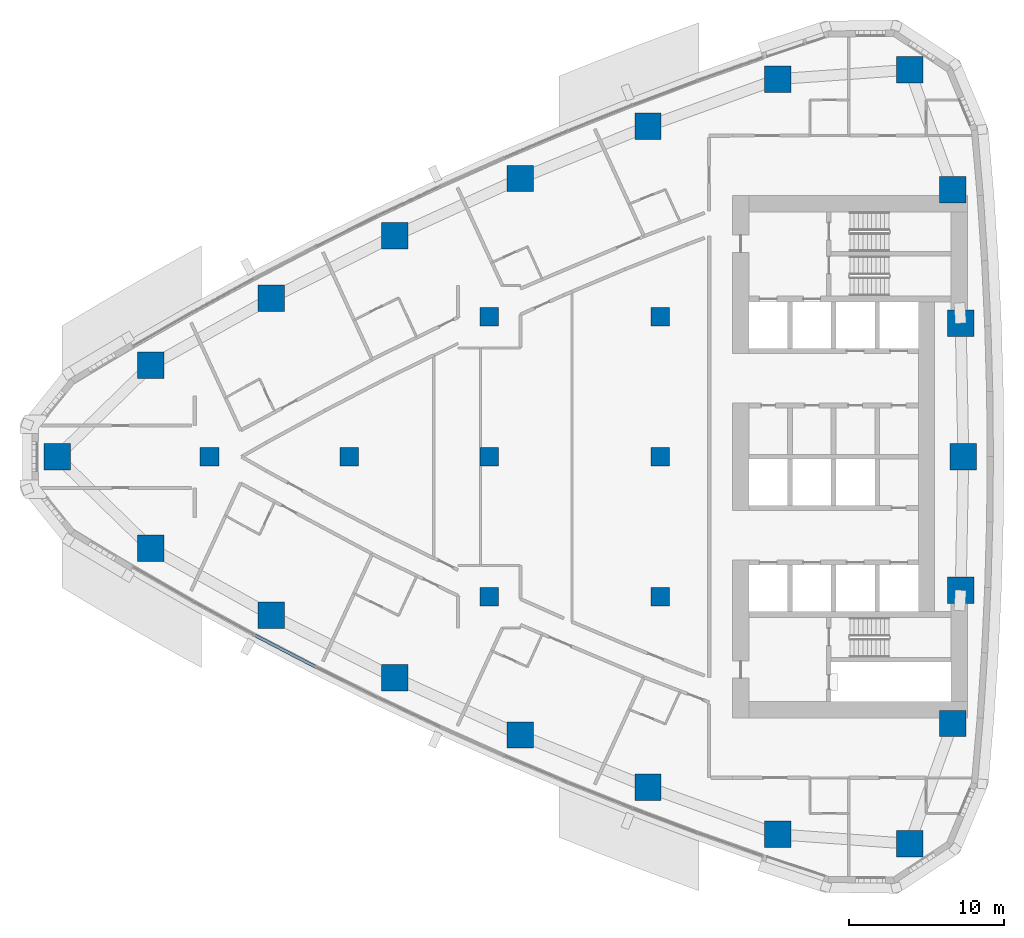
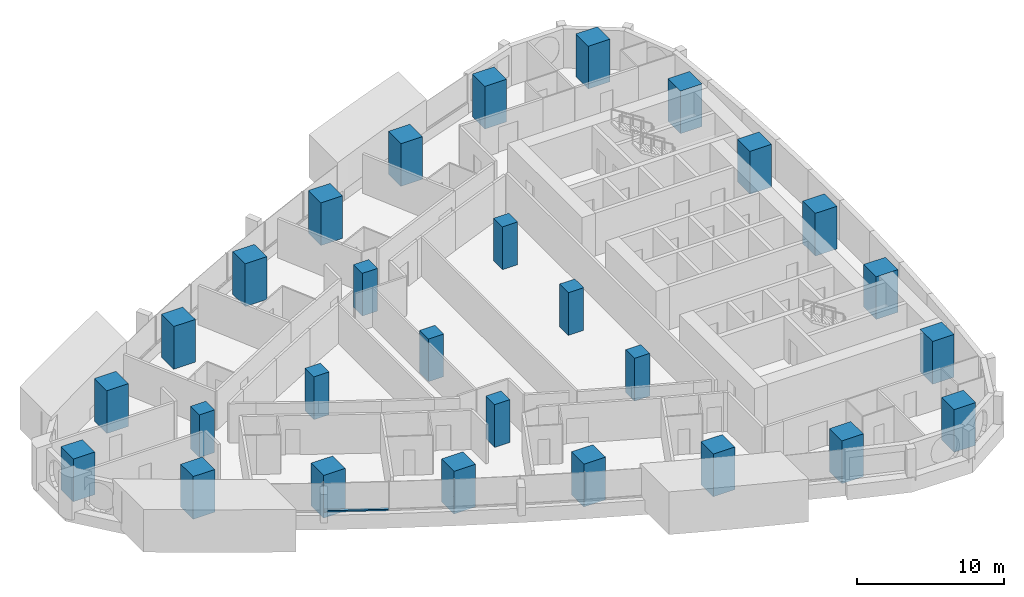
# One storey, part 1 of 17: 28 columns, 1 member, 1 element without a shape of its own.
"""IFC4 building model written with IfcOpenShell, lengths in metres."""

from ifc_helpers import new_model, si_unit, direction, frame, origin, origin_2d, place, context, subcontext, project, spatial, rectangle, extrude, material, layer, layer_set, material_profile, profile_set, type_object, element, aggregate, save


model = new_model("IFC4")

# Units and contexts
model_context = context("Model", 3, precision=1e-05, world=origin(), true_north=direction((0.0, 1.0)))
body_context = subcontext(model_context, "Body", "Model", "MODEL_VIEW")
ifc_project = project(units=[si_unit("LENGTHUNIT", "METRE"), si_unit("AREAUNIT", "SQUARE_METRE"), si_unit("VOLUMEUNIT", "CUBIC_METRE"), si_unit("PLANEANGLEUNIT", "RADIAN"), si_unit("MASSUNIT", "GRAM", prefix="KILO")], contexts=[model_context])

# Site, building, storey
site_placement = place(None, origin())
site = spatial("IfcSite", under=ifc_project, at=site_placement, CompositionType="ELEMENT")
building_placement = place(site_placement, origin())
building = spatial("IfcBuilding", under=site, at=building_placement, Name="Ostrand Prow Hotel Tower", CompositionType="ELEMENT")
storey_placement = place(building_placement, frame((0.0, 0.0, 92.0)))
storey = spatial("IfcBuildingStorey", under=building, at=storey_placement, Name="L21", CompositionType="ELEMENT", Elevation=92.0)

# Columns
ifc_material_1 = material(Name="Concrete C80/95", Category="concrete")
ifc_material_profile_1 = material_profile(ifc_material_1, rectangle(XDim=1.199951171875, YDim=1.199951171875, at=origin_2d()), Name="RC 1200x1200")
ifc_profile_set_1 = profile_set([ifc_material_profile_1], Name="Concrete C80/95")
column_type_1 = type_object("IfcColumnType", Name="Interior column 1200x1200 C80/95", PredefinedType="COLUMN", material=ifc_profile_set_1)
for number, where, z_axis, x_axis, name in (
    (1, (16.0, 0.0, 0.0), (0.0, 0.0, 1.0), (1.0, 0.0, 0.0), "Interior column 16C0"),
    (2, (25.0, 0.0, 0.0), (0.0, 0.0, 1.0), (1.0, 0.0, 0.0), "Interior column 25C0"),
    (3, (34.0, -9.0, 0.0), (0.0, 0.0, 1.0), (1.0, 0.0, 0.0), "Interior column 34S9"),
    (4, (34.0, 0.0, 0.0), (0.0, 0.0, 1.0), (1.0, 0.0, 0.0), "Interior column 34C0"),
    (5, (34.0, 9.0, 0.0), (0.0, 0.0, 1.0), (1.0, 0.0, 0.0), "Interior column 34N9"),
    (6, (45.0, -9.0, 0.0), (0.0, 0.0, 1.0), (1.0, 0.0, 0.0), "Interior column 45S9"),
    (7, (45.0, 0.0, 0.0), (0.0, 0.0, 1.0), (1.0, 0.0, 0.0), "Interior column 45C0"),
    (8, (45.0, 9.0, 0.0), (0.0, 0.0, 1.0), (1.0, 0.0, 0.0), "Interior column 45N9"),
):
    element("IfcColumn", number, at=place(storey_placement, frame(where, z_axis=z_axis, x_axis=x_axis)), inside=storey, type_object=column_type_1, Name=name, PredefinedType="COLUMN", context=body_context, shape_type="SweptSolid", body=[
        extrude(rectangle(XDim=1.199951171875, YDim=1.199951171875, at=origin_2d()), origin(), (0.0, 0.0, 1.0), 3.550048828125),
    ])
ifc_material_2 = material(Name="Concrete C80/95", Category="concrete")
ifc_material_profile_2 = material_profile(ifc_material_2, rectangle(XDim=1.699951171875, YDim=1.699951171875, at=origin_2d()), Name="RC 1700x1700")
ifc_profile_set_2 = profile_set([ifc_material_profile_2], Name="Concrete C80/95")
column_type_2 = type_object("IfcColumnType", Name="Stone-faced mega column 1700x1700 C80/95", PredefinedType="COLUMN", material=ifc_profile_set_2)
for number, where, z_axis, x_axis, name in (
    (9, (6.193115234375, 0.0, 0.0), (0.0, 0.0, 1.0), (1.0, 0.0, 0.0), "Mega column P"),
    (10, (12.221435546875, -5.876220703125, 0.0), (0.0, 0.0, 1.0), (1.0, 0.0, 0.0), "Mega column S1"),
    (11, (19.980712890625, -10.20166015625, 0.0), (0.0, 0.0, 1.0), (1.0, 0.0, 0.0), "Mega column S2"),
    (12, (27.906982421875, -14.212158203125, 0.0), (0.0, 0.0, 1.0), (1.0, 0.0, 0.0), "Mega column S3"),
    (13, (35.98828125, -17.901611328125, 0.0), (0.0, 0.0, 1.0), (1.0, 0.0, 0.0), "Mega column S4"),
    (14, (44.210693359375, -21.263671875, 0.0), (0.0, 0.0, 1.0), (1.0, 0.0, 0.0), "Mega column S5"),
    (15, (52.561767578125, -24.29296875, 0.0), (0.0, 0.0, 1.0), (1.0, 0.0, 0.0), "Mega column S6"),
    (16, (61.0400390625, -24.89697265625, 0.0), (0.0, 0.0, 1.0), (1.0, 0.0, 0.0), "Mega column SE"),
    (17, (63.815673828125, -17.16357421875, 0.0), (0.0, 0.0, 1.0), (1.0, 0.0, 0.0), "Mega column B1"),
    (18, (64.328857421875, -8.588623046875, 0.0), (0.0, 0.0, 1.0), (1.0, 0.0, 0.0), "Mega column B2"),
    (19, (64.5, 0.0, 0.0), (0.0, 0.0, 1.0), (1.0, 0.0, 0.0), "Mega column B3"),
    (20, (64.328857421875, 8.588623046875, 0.0), (0.0, 0.0, 1.0), (1.0, 0.0, 0.0), "Mega column B4"),
    (21, (63.815673828125, 17.16357421875, 0.0), (0.0, 0.0, 1.0), (1.0, 0.0, 0.0), "Mega column B5"),
    (22, (61.0400390625, 24.89697265625, 0.0), (0.0, 0.0, 1.0), (1.0, 0.0, 0.0), "Mega column NE"),
    (23, (52.561767578125, 24.29296875, 0.0), (0.0, 0.0, 1.0), (1.0, 0.0, 0.0), "Mega column N1"),
    (24, (44.210693359375, 21.263671875, 0.0), (0.0, 0.0, 1.0), (1.0, 0.0, 0.0), "Mega column N2"),
    (25, (35.98828125, 17.901611328125, 0.0), (0.0, 0.0, 1.0), (1.0, 0.0, 0.0), "Mega column N3"),
    (26, (27.906982421875, 14.212158203125, 0.0), (0.0, 0.0, 1.0), (1.0, 0.0, 0.0), "Mega column N4"),
    (27, (19.980712890625, 10.20166015625, 0.0), (0.0, 0.0, 1.0), (1.0, 0.0, 0.0), "Mega column N5"),
    (28, (12.221435546875, 5.876220703125, 0.0), (0.0, 0.0, 1.0), (1.0, 0.0, 0.0), "Mega column N6"),
):
    element("IfcColumn", number, at=place(storey_placement, frame(where, z_axis=z_axis, x_axis=x_axis)), inside=storey, type_object=column_type_2, Name=name, PredefinedType="COLUMN", context=body_context, shape_type="SweptSolid", body=[
        extrude(rectangle(XDim=1.699951171875, YDim=1.699951171875, at=origin_2d()), origin(), (0.0, 0.0, 1.0), 3.550048828125),
    ])

# Curtain wall, member
ifc_material_3 = material(Name="Insulated glass in bronze anodised frame", Category="glass")
ifc_layer = layer(ifc_material_3, 0.199951171875)
ifc_layer_set = layer_set([ifc_layer], Name="Insulated glass in bronze anodised frame")
curtain_wall_type = type_object("IfcCurtainWallType", Name="Strip curtain wall, fritted glass over bronze spandrel", PredefinedType="NOTDEFINED", material=ifc_layer_set)
curtain_wall_placement = place(storey_placement, origin())
curtain_wall = element("IfcCurtainWall", 29, at=curtain_wall_placement, inside=storey, type_object=curtain_wall_type, Name="CW1 run CWS2", PredefinedType="NOTDEFINED")
ifc_material_4 = material(Name="Bronze anodised aluminium", Category="aluminium")
ifc_material_profile_3 = material_profile(ifc_material_4, rectangle(XDim=0.199951171875, YDim=0.1201171875, at=origin_2d()), Name="Transom 120x200 bronze anodised aluminium")
ifc_profile_set_3 = profile_set([ifc_material_profile_3], Name="Bronze anodised aluminium")
member_type = type_object("IfcMemberType", Name="Transom 120x200 bronze anodised aluminium", PredefinedType="USERDEFINED", material=ifc_profile_set_3)
member_placement = place(storey_placement, frame((18.89697265625, -11.475830078125, 0.9599609375), z_axis=(0.886901787206, -0.461958028235, 0.0), x_axis=(0.461958028235, 0.886901787206, 0.0)))
member = element("IfcMember", 30, at=member_placement, type_object=member_type, Name="CW1 transom 1.1", ObjectType="TRANSOM", PredefinedType="USERDEFINED", context=body_context, shape_type="SweptSolid", body=[
    extrude(rectangle(XDim=0.199951171875, YDim=0.1201171875, at=origin_2d()), origin(), (0.0, 0.0, 1.0), 4.406005859375),
])
aggregate(curtain_wall, [member])

save(model, "model.ifc")
